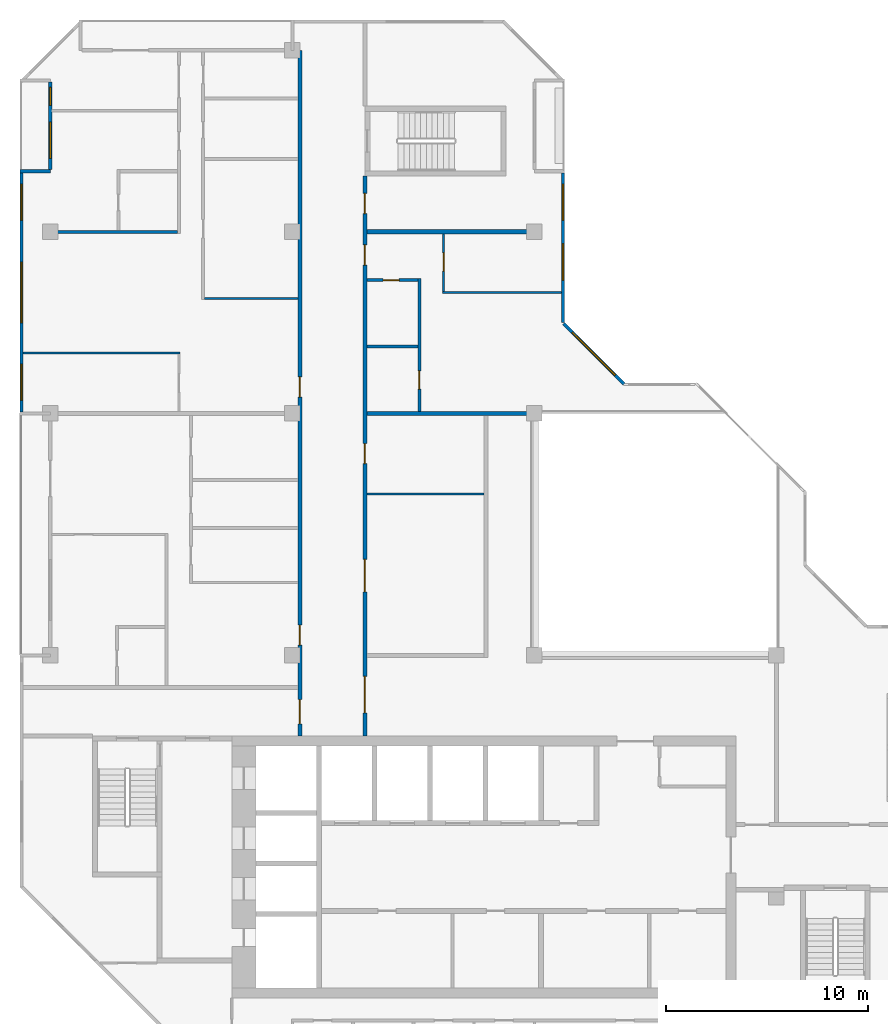
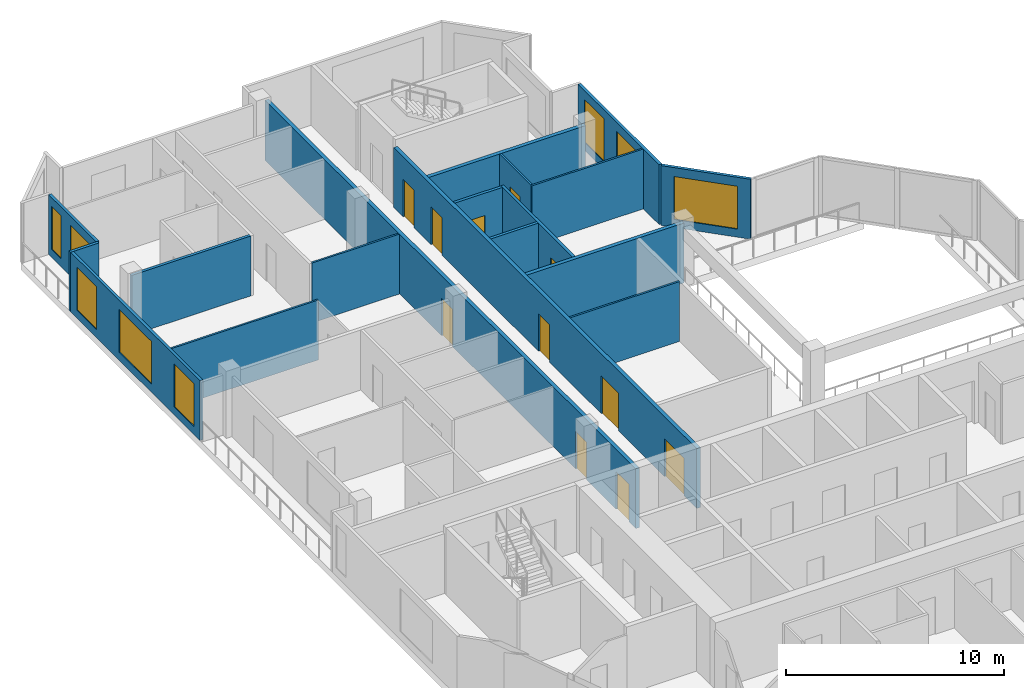
# One storey, part 8 of 12: 18 walls, 11 doors, 8 windows, 19 openings.
"""IFC4 building model written with IfcOpenShell, lengths in metres."""

from ifc_helpers import new_model, si_unit, direction, frame, frame_2d, origin, place, context, subcontext, project, spatial, rectangle, extrude, material, layer, layer_set, type_object, element, fill, save


model = new_model("IFC4")

# Units and contexts
model_context = context("Model", 3, precision=1e-05, world=origin(), true_north=direction((0.0, 1.0)))
body_context = subcontext(model_context, "Body", "Model", "MODEL_VIEW")
ifc_project = project(units=[si_unit("LENGTHUNIT", "METRE"), si_unit("AREAUNIT", "SQUARE_METRE"), si_unit("VOLUMEUNIT", "CUBIC_METRE"), si_unit("PLANEANGLEUNIT", "RADIAN"), si_unit("MASSUNIT", "GRAM", prefix="KILO")], contexts=[model_context])

# Site, building, storey
site_placement = place(None, origin())
site = spatial("IfcSite", under=ifc_project, at=site_placement, CompositionType="ELEMENT")
building_placement = place(site_placement, origin())
building = spatial("IfcBuilding", under=site, at=building_placement, Name="Chenar Terraces", CompositionType="ELEMENT")
storey_placement = place(building_placement, frame((0.0, 0.0, 372.64990234375)))
storey = spatial("IfcBuildingStorey", under=building, at=storey_placement, Name="L87", CompositionType="ELEMENT", Elevation=372.64990234375)

# Wall, openings, doors
ifc_material_1 = material(Name="Gypsum board on steel studs with fire boards", Category="steel")
ifc_layer_1 = layer(ifc_material_1, 0.199951171875)
ifc_layer_set_1 = layer_set([ifc_layer_1], Name="Gypsum board on steel studs with fire boards")
wall_type_1 = type_object("IfcWallType", Name="Corridor wall 200", PredefinedType="PARTITIONING", material=ifc_layer_set_1)
wall_1_placement = place(storey_placement, frame((12.375, 20.0, 0.0), z_axis=(0.0, 0.0, 1.0), x_axis=(0.0, 1.0, 0.0)))
wall_1 = element("IfcWall", 1, at=wall_1_placement, inside=storey, type_object=wall_type_1, Name="Partition L87-028", PredefinedType="PARTITIONING", context=body_context, shape_type="SweptSolid", body=[
    extrude(rectangle(XDim=34.0, YDim=0.199951171875, at=frame_2d((17.0, 0.0))), origin(), (0.0, 0.0, 1.0), 3.35009765625),
])
opening_1_placement = place(wall_1_placement, frame((16.800048828125, 0.0, 0.0)))
opening_1 = element("IfcOpeningElement", 2, at=opening_1_placement, cuts=wall_1, Name="Opening DL87-13", PredefinedType="OPENING", context=body_context, shape_type="SweptSolid", body=[
    extrude(rectangle(XDim=1.0, YDim=2.10009765625, at=frame_2d((0.5, 1.050048828125))), frame((0.0, 0.10986328125, 0.0), z_axis=(0.0, -1.0, 0.0), x_axis=(1.0, 0.0, 0.0)), (0.0, 0.0, 1.0), 0.219970703125),
])
opening_2_placement = place(wall_1_placement, frame((0.60009765625, 0.0, 0.0)))
opening_2 = element("IfcOpeningElement", 3, at=opening_2_placement, cuts=wall_1, Name="Opening DL87-18", PredefinedType="OPENING", context=body_context, shape_type="SweptSolid", body=[
    extrude(rectangle(XDim=1.199951171875, YDim=2.10009765625, at=frame_2d((0.60009765625, 1.050048828125))), frame((0.0, 0.10986328125, 0.0), z_axis=(0.0, -1.0, 0.0), x_axis=(1.0, 0.0, 0.0)), (0.0, 0.0, 1.0), 0.219970703125),
])
opening_3_placement = place(wall_1_placement, frame((4.5, 0.0, 0.0)))
opening_3 = element("IfcOpeningElement", 4, at=opening_3_placement, cuts=wall_1, Name="Opening DL87-41", PredefinedType="OPENING", context=body_context, shape_type="SweptSolid", body=[
    extrude(rectangle(XDim=1.0, YDim=2.10009765625, at=frame_2d((0.5, 1.050048828125))), frame((0.0, 0.10986328125, 0.0), z_axis=(0.0, -1.0, 0.0), x_axis=(1.0, 0.0, 0.0)), (0.0, 0.0, 1.0), 0.219970703125),
])
ifc_material_2 = material(Name="Steel-framed fire-resisting door leaf", Category="steel")
door_type_1 = type_object("IfcDoorType", Name="Fire door FD30S 1000 x 2100", OperationType="SINGLE_SWING_LEFT", PredefinedType="DOOR", material=ifc_material_2)
door_1_placement = place(opening_1_placement, origin())
door_1 = element("IfcDoor", 5, at=door_1_placement, inside=storey, type_object=door_type_1, Name="Door DL87-13", OperationType="SINGLE_SWING_LEFT", OverallHeight=2.10009765625, OverallWidth=1.0, PredefinedType="DOOR", context=body_context, shape_type="SweptSolid", body=[
    extrude(rectangle(XDim=1.0, YDim=2.10009765625, at=frame_2d((0.5, 1.050048828125))), frame((0.0, 0.02490234375, 0.0), z_axis=(0.0, -1.0, 0.0), x_axis=(1.0, 0.0, 0.0)), (0.0, 0.0, 1.0), 0.050048828125),
])
fill(opening_1, door_1)
door_2_placement = place(opening_3_placement, origin())
door_2 = element("IfcDoor", 6, at=door_2_placement, inside=storey, type_object=door_type_1, Name="Door DL87-41", OperationType="SINGLE_SWING_LEFT", OverallHeight=2.10009765625, OverallWidth=1.0, PredefinedType="DOOR", context=body_context, shape_type="SweptSolid", body=[
    extrude(rectangle(XDim=1.0, YDim=2.10009765625, at=frame_2d((0.5, 1.050048828125))), frame((0.0, 0.02490234375, 0.0), z_axis=(0.0, -1.0, 0.0), x_axis=(1.0, 0.0, 0.0)), (0.0, 0.0, 1.0), 0.050048828125),
])
fill(opening_3, door_2)
ifc_material_3 = material(Name="Steel-framed fire-resisting door leaf", Category="steel")
door_type_2 = type_object("IfcDoorType", Name="Fire door FD30S 1200 x 2100", OperationType="SINGLE_SWING_LEFT", PredefinedType="DOOR", material=ifc_material_3)
door_3_placement = place(opening_2_placement, origin())
door_3 = element("IfcDoor", 7, at=door_3_placement, inside=storey, type_object=door_type_2, Name="Door DL87-18", OperationType="SINGLE_SWING_RIGHT", OverallHeight=2.10009765625, OverallWidth=1.199951171875, PredefinedType="DOOR", context=body_context, shape_type="SweptSolid", body=[
    extrude(rectangle(XDim=1.199951171875, YDim=2.10009765625, at=frame_2d((0.60009765625, 1.050048828125))), frame((0.0, 0.02490234375, 0.0), z_axis=(0.0, -1.0, 0.0), x_axis=(1.0, 0.0, 0.0)), (0.0, 0.0, 1.0), 0.050048828125),
])
fill(opening_2, door_3)

wall_2_placement = place(storey_placement, frame((15.60009765625, 20.0, 0.0), z_axis=(0.0, 0.0, 1.0), x_axis=(0.0, 1.0, 0.0)))
wall_2 = element("IfcWall", 8, at=wall_2_placement, inside=storey, type_object=wall_type_1, Name="Partition L87-031", PredefinedType="PARTITIONING", context=body_context, shape_type="SweptSolid", body=[
    extrude(rectangle(XDim=27.77490234375, YDim=0.199951171875, at=frame_2d((13.887451171875, 0.0))), origin(), (0.0, 0.0, 1.0), 3.35009765625),
])
opening_4_placement = place(wall_2_placement, frame((7.14990234375, 0.0, 0.0)))
opening_4 = element("IfcOpeningElement", 9, at=opening_4_placement, cuts=wall_2, Name="Opening DL87-1", PredefinedType="OPENING", context=body_context, shape_type="SweptSolid", body=[
    extrude(rectangle(XDim=1.60009765625, YDim=2.10009765625, at=frame_2d((0.800048828125, 1.050048828125))), frame((0.0, 0.10986328125, 0.0), z_axis=(0.0, -1.0, 0.0), x_axis=(1.0, 0.0, 0.0)), (0.0, 0.0, 1.0), 0.219970703125),
])
opening_5_placement = place(wall_2_placement, frame((13.5, 0.0, 0.0)))
opening_5 = element("IfcOpeningElement", 10, at=opening_5_placement, cuts=wall_2, Name="Opening DL87-2", PredefinedType="OPENING", context=body_context, shape_type="SweptSolid", body=[
    extrude(rectangle(XDim=1.0, YDim=2.10009765625, at=frame_2d((0.5, 1.050048828125))), frame((0.0, 0.10986328125, 0.0), z_axis=(0.0, -1.0, 0.0), x_axis=(1.0, 0.0, 0.0)), (0.0, 0.0, 1.0), 0.219970703125),
])
opening_6_placement = place(wall_2_placement, frame((23.35009765625, 0.0, 0.0)))
opening_6 = element("IfcOpeningElement", 11, at=opening_6_placement, cuts=wall_2, Name="Opening DL87-7", PredefinedType="OPENING", context=body_context, shape_type="SweptSolid", body=[
    extrude(rectangle(XDim=1.0, YDim=2.10009765625, at=frame_2d((0.5, 1.050048828125))), frame((0.0, 0.10986328125, 0.0), z_axis=(0.0, -1.0, 0.0), x_axis=(1.0, 0.0, 0.0)), (0.0, 0.0, 1.0), 0.219970703125),
])
opening_7_placement = place(wall_2_placement, frame((1.14990234375, 0.0, 0.0)))
opening_7 = element("IfcOpeningElement", 12, at=opening_7_placement, cuts=wall_2, Name="Opening DL87-17", PredefinedType="OPENING", context=body_context, shape_type="SweptSolid", body=[
    extrude(rectangle(XDim=1.800048828125, YDim=2.10009765625, at=frame_2d((0.89990234375, 1.050048828125))), frame((0.0, 0.10986328125, 0.0), z_axis=(0.0, -1.0, 0.0), x_axis=(1.0, 0.0, 0.0)), (0.0, 0.0, 1.0), 0.219970703125),
])
opening_8_placement = place(wall_2_placement, frame((25.89990234375, 0.0, 0.0)))
opening_8 = element("IfcOpeningElement", 13, at=opening_8_placement, cuts=wall_2, Name="Opening DL87-20", PredefinedType="OPENING", context=body_context, shape_type="SweptSolid", body=[
    extrude(rectangle(XDim=1.0, YDim=2.10009765625, at=frame_2d((0.5, 1.050048828125))), frame((0.0, 0.10986328125, 0.0), z_axis=(0.0, -1.0, 0.0), x_axis=(1.0, 0.0, 0.0)), (0.0, 0.0, 1.0), 0.219970703125),
])
ifc_material_4 = material(Name="Steel-framed fire-resisting door leaf", Category="steel")
door_type_3 = type_object("IfcDoorType", Name="Fire door FD60 1000 x 2100", OperationType="SINGLE_SWING_LEFT", PredefinedType="DOOR", material=ifc_material_4)
door_4_placement = place(opening_5_placement, frame((1.0, 0.0, 0.0), z_axis=(0.0, 0.0, 1.0), x_axis=(-1.0, 0.0, 0.0)))
door_4 = element("IfcDoor", 14, at=door_4_placement, inside=storey, type_object=door_type_3, Name="Door DL87-2", OperationType="SINGLE_SWING_LEFT", OverallHeight=2.10009765625, OverallWidth=1.0, PredefinedType="DOOR", context=body_context, shape_type="SweptSolid", body=[
    extrude(rectangle(XDim=1.0, YDim=2.10009765625, at=frame_2d((0.5, 1.050048828125))), frame((0.0, 0.02490234375, 0.0), z_axis=(0.0, -1.0, 0.0), x_axis=(1.0, 0.0, 0.0)), (0.0, 0.0, 1.0), 0.050048828125),
])
fill(opening_5, door_4)
door_5_placement = place(opening_6_placement, frame((1.0, 0.0, 0.0), z_axis=(0.0, 0.0, 1.0), x_axis=(-1.0, 0.0, 0.0)))
door_5 = element("IfcDoor", 15, at=door_5_placement, inside=storey, type_object=door_type_3, Name="Door DL87-7", OperationType="SINGLE_SWING_LEFT", OverallHeight=2.10009765625, OverallWidth=1.0, PredefinedType="DOOR", context=body_context, shape_type="SweptSolid", body=[
    extrude(rectangle(XDim=1.0, YDim=2.10009765625, at=frame_2d((0.5, 1.050048828125))), frame((0.0, 0.02490234375, 0.0), z_axis=(0.0, -1.0, 0.0), x_axis=(1.0, 0.0, 0.0)), (0.0, 0.0, 1.0), 0.050048828125),
])
fill(opening_6, door_5)
door_6_placement = place(opening_8_placement, frame((1.0, 0.0, 0.0), z_axis=(0.0, 0.0, 1.0), x_axis=(-1.0, 0.0, 0.0)))
door_6 = element("IfcDoor", 16, at=door_6_placement, inside=storey, type_object=door_type_3, Name="Door DL87-20", OperationType="SINGLE_SWING_RIGHT", OverallHeight=2.10009765625, OverallWidth=1.0, PredefinedType="DOOR", context=body_context, shape_type="SweptSolid", body=[
    extrude(rectangle(XDim=1.0, YDim=2.10009765625, at=frame_2d((0.5, 1.050048828125))), frame((0.0, 0.02490234375, 0.0), z_axis=(0.0, -1.0, 0.0), x_axis=(1.0, 0.0, 0.0)), (0.0, 0.0, 1.0), 0.050048828125),
])
fill(opening_8, door_6)
ifc_material_5 = material(Name="Steel-framed fire-resisting door leaf", Category="steel")
door_type_4 = type_object("IfcDoorType", Name="Fire double door FD60 1600 x 2100", OperationType="DOUBLE_DOOR_SINGLE_SWING", PredefinedType="DOOR", material=ifc_material_5)
door_7_placement = place(opening_4_placement, frame((1.60009765625, 0.0, 0.0), z_axis=(0.0, 0.0, 1.0), x_axis=(-1.0, 0.0, 0.0)))
door_7 = element("IfcDoor", 17, at=door_7_placement, inside=storey, type_object=door_type_4, Name="Door DL87-1", OperationType="DOUBLE_DOOR_SINGLE_SWING", OverallHeight=2.10009765625, OverallWidth=1.60009765625, PredefinedType="DOOR", context=body_context, shape_type="SweptSolid", body=[
    extrude(rectangle(XDim=1.60009765625, YDim=2.10009765625, at=frame_2d((0.800048828125, 1.050048828125))), frame((0.0, 0.02490234375, 0.0), z_axis=(0.0, -1.0, 0.0), x_axis=(1.0, 0.0, 0.0)), (0.0, 0.0, 1.0), 0.050048828125),
])
fill(opening_4, door_7)
ifc_material_6 = material(Name="Steel-framed fire-resisting door leaf", Category="steel")
door_type_5 = type_object("IfcDoorType", Name="Fire double door FD60 1800 x 2100", OperationType="DOUBLE_DOOR_SINGLE_SWING", PredefinedType="DOOR", material=ifc_material_6)
door_8_placement = place(opening_7_placement, frame((1.800048828125, 0.0, 0.0), z_axis=(0.0, 0.0, 1.0), x_axis=(-1.0, 0.0, 0.0)))
door_8 = element("IfcDoor", 18, at=door_8_placement, inside=storey, type_object=door_type_5, Name="Door DL87-17", OperationType="DOUBLE_DOOR_SINGLE_SWING", OverallHeight=2.10009765625, OverallWidth=1.800048828125, PredefinedType="DOOR", context=body_context, shape_type="SweptSolid", body=[
    extrude(rectangle(XDim=1.800048828125, YDim=2.10009765625, at=frame_2d((0.89990234375, 1.050048828125))), frame((0.0, 0.02490234375, 0.0), z_axis=(0.0, -1.0, 0.0), x_axis=(1.0, 0.0, 0.0)), (0.0, 0.0, 1.0), 0.050048828125),
])
fill(opening_7, door_8)

# Wall, openings, windows
ifc_material_7 = material(Name="Aluminium framed glazing", Category="aluminium")
ifc_layer_2 = layer(ifc_material_7, 0.14990234375)
ifc_layer_set_2 = layer_set([ifc_layer_2], Name="Aluminium framed glazing")
wall_type_2 = type_object("IfcWallType", Name="Glazed flush facade wall 150", PredefinedType="SOLIDWALL", material=ifc_layer_set_2)
wall_3_placement = place(storey_placement, frame((25.425048828125, 40.5, 0.0), z_axis=(0.0, 0.0, 1.0), x_axis=(0.0, 1.0, 0.0)))
wall_3 = element("IfcWall", 19, at=wall_3_placement, inside=storey, type_object=wall_type_2, Name="Glazed flush facade wall", PredefinedType="SOLIDWALL", context=body_context, shape_type="SweptSolid", body=[
    extrude(rectangle(XDim=7.425048828125, YDim=0.14990234375, at=frame_2d((3.71240234375, 0.0))), origin(), (0.0, 0.0, 1.0), 3.35009765625),
])
opening_9_placement = place(wall_3_placement, frame((2.10009765625, 0.0, 0.449951171875)))
opening_9 = element("IfcOpeningElement", 20, at=opening_9_placement, cuts=wall_3, Name="Opening W180x240", PredefinedType="OPENING", context=body_context, shape_type="SweptSolid", body=[
    extrude(rectangle(XDim=1.800048828125, YDim=2.39990234375, at=frame_2d((0.89990234375, 1.199951171875))), frame((0.0, 0.0849609375, 0.0), z_axis=(0.0, -1.0, 0.0), x_axis=(1.0, 0.0, 0.0)), (0.0, 0.0, 1.0), 0.169921875),
])
opening_10_placement = place(wall_3_placement, frame((5.0625, 0.0, 0.449951171875)))
opening_10 = element("IfcOpeningElement", 21, at=opening_10_placement, cuts=wall_3, Name="Opening W180x240", PredefinedType="OPENING", context=body_context, shape_type="SweptSolid", body=[
    extrude(rectangle(XDim=1.800048828125, YDim=2.39990234375, at=frame_2d((0.89990234375, 1.199951171875))), frame((0.0, 0.0849609375, 0.0), z_axis=(0.0, -1.0, 0.0), x_axis=(1.0, 0.0, 0.0)), (0.0, 0.0, 1.0), 0.169921875),
])
ifc_material_8 = material(Name="Low emissivity double glazing, aluminium frame", Category="aluminium")
window_type_1 = type_object("IfcWindowType", Name="Fixed light 1800 x 2400", PartitioningType="SINGLE_PANEL", PredefinedType="WINDOW", material=ifc_material_8)
window_1_placement = place(opening_9_placement, origin())
window_1 = element("IfcWindow", 22, at=window_1_placement, inside=storey, type_object=window_type_1, Name="Window", OverallHeight=2.39990234375, OverallWidth=1.800048828125, PartitioningType="SINGLE_PANEL", PredefinedType="WINDOW", context=body_context, shape_type="SweptSolid", body=[
    extrude(rectangle(XDim=1.800048828125, YDim=2.39990234375, at=frame_2d((0.89990234375, 1.199951171875))), frame((0.0, 0.030029296875, 0.0), z_axis=(0.0, -1.0, 0.0), x_axis=(1.0, 0.0, 0.0)), (0.0, 0.0, 1.0), 0.06005859375),
])
fill(opening_9, window_1)
window_2_placement = place(opening_10_placement, origin())
window_2 = element("IfcWindow", 23, at=window_2_placement, inside=storey, type_object=window_type_1, Name="Window", OverallHeight=2.39990234375, OverallWidth=1.800048828125, PartitioningType="SINGLE_PANEL", PredefinedType="WINDOW", context=body_context, shape_type="SweptSolid", body=[
    extrude(rectangle(XDim=1.800048828125, YDim=2.39990234375, at=frame_2d((0.89990234375, 1.199951171875))), frame((0.0, 0.030029296875, 0.0), z_axis=(0.0, -1.0, 0.0), x_axis=(1.0, 0.0, 0.0)), (0.0, 0.0, 1.0), 0.06005859375),
])
fill(opening_10, window_2)

wall_4_placement = place(storey_placement, frame((-1.425048828125, 47.925048828125, 0.0), z_axis=(0.0, 0.0, 1.0), x_axis=(0.0, -1.0, 0.0)))
wall_4 = element("IfcWall", 24, at=wall_4_placement, inside=storey, type_object=wall_type_2, Name="Glazed flush facade wall", PredefinedType="SOLIDWALL", context=body_context, shape_type="SweptSolid", body=[
    extrude(rectangle(XDim=11.85009765625, YDim=0.14990234375, at=frame_2d((5.925048828125, 0.0))), origin(), (0.0, 0.0, 1.0), 3.35009765625),
])
opening_11_placement = place(wall_4_placement, frame((0.5625, 0.0, 0.449951171875)))
opening_11 = element("IfcOpeningElement", 25, at=opening_11_placement, cuts=wall_4, Name="Opening W180x240", PredefinedType="OPENING", context=body_context, shape_type="SweptSolid", body=[
    extrude(rectangle(XDim=1.800048828125, YDim=2.39990234375, at=frame_2d((0.89990234375, 1.199951171875))), frame((0.0, 0.0849609375, 0.0), z_axis=(0.0, -1.0, 0.0), x_axis=(1.0, 0.0, 0.0)), (0.0, 0.0, 1.0), 0.169921875),
])
opening_12_placement = place(wall_4_placement, frame((4.425048828125, 0.0, 0.449951171875)))
opening_12 = element("IfcOpeningElement", 26, at=opening_12_placement, cuts=wall_4, Name="Opening W300x240", PredefinedType="OPENING", context=body_context, shape_type="SweptSolid", body=[
    extrude(rectangle(XDim=3.0, YDim=2.39990234375, at=frame_2d((1.5, 1.199951171875))), frame((0.0, 0.0849609375, 0.0), z_axis=(0.0, -1.0, 0.0), x_axis=(1.0, 0.0, 0.0)), (0.0, 0.0, 1.0), 0.169921875),
])
opening_13_placement = place(wall_4_placement, frame((9.487548828125, 0.0, 0.449951171875)))
opening_13 = element("IfcOpeningElement", 27, at=opening_13_placement, cuts=wall_4, Name="Opening W180x240", PredefinedType="OPENING", context=body_context, shape_type="SweptSolid", body=[
    extrude(rectangle(XDim=1.800048828125, YDim=2.39990234375, at=frame_2d((0.89990234375, 1.199951171875))), frame((0.0, 0.0849609375, 0.0), z_axis=(0.0, -1.0, 0.0), x_axis=(1.0, 0.0, 0.0)), (0.0, 0.0, 1.0), 0.169921875),
])
window_3_placement = place(opening_11_placement, origin())
window_3 = element("IfcWindow", 28, at=window_3_placement, inside=storey, type_object=window_type_1, Name="Window", OverallHeight=2.39990234375, OverallWidth=1.800048828125, PartitioningType="SINGLE_PANEL", PredefinedType="WINDOW", context=body_context, shape_type="SweptSolid", body=[
    extrude(rectangle(XDim=1.800048828125, YDim=2.39990234375, at=frame_2d((0.89990234375, 1.199951171875))), frame((0.0, 0.030029296875, 0.0), z_axis=(0.0, -1.0, 0.0), x_axis=(1.0, 0.0, 0.0)), (0.0, 0.0, 1.0), 0.06005859375),
])
fill(opening_11, window_3)
window_4_placement = place(opening_13_placement, origin())
window_4 = element("IfcWindow", 29, at=window_4_placement, inside=storey, type_object=window_type_1, Name="Window", OverallHeight=2.39990234375, OverallWidth=1.800048828125, PartitioningType="SINGLE_PANEL", PredefinedType="WINDOW", context=body_context, shape_type="SweptSolid", body=[
    extrude(rectangle(XDim=1.800048828125, YDim=2.39990234375, at=frame_2d((0.89990234375, 1.199951171875))), frame((0.0, 0.030029296875, 0.0), z_axis=(0.0, -1.0, 0.0), x_axis=(1.0, 0.0, 0.0)), (0.0, 0.0, 1.0), 0.06005859375),
])
fill(opening_13, window_4)
ifc_material_9 = material(Name="Low emissivity double glazing, aluminium frame", Category="aluminium")
window_type_2 = type_object("IfcWindowType", Name="Fixed light 3000 x 2400", PartitioningType="SINGLE_PANEL", PredefinedType="WINDOW", material=ifc_material_9)
window_5_placement = place(opening_12_placement, origin())
window_5 = element("IfcWindow", 30, at=window_5_placement, inside=storey, type_object=window_type_2, Name="Window", OverallHeight=2.39990234375, OverallWidth=3.0, PartitioningType="SINGLE_PANEL", PredefinedType="WINDOW", context=body_context, shape_type="SweptSolid", body=[
    extrude(rectangle(XDim=3.0, YDim=2.39990234375, at=frame_2d((1.5, 1.199951171875))), frame((0.0, 0.030029296875, 0.0), z_axis=(0.0, -1.0, 0.0), x_axis=(1.0, 0.0, 0.0)), (0.0, 0.0, 1.0), 0.06005859375),
])
fill(opening_12, window_5)

ifc_material_10 = material(Name="Aluminium framed glazing", Category="aluminium")
ifc_layer_3 = layer(ifc_material_10, 0.14990234375)
ifc_layer_set_3 = layer_set([ifc_layer_3], Name="Aluminium framed glazing")
wall_type_3 = type_object("IfcWallType", Name="Glazed loggia back wall 150", PredefinedType="SOLIDWALL", material=ifc_layer_set_3)
wall_5_placement = place(storey_placement, frame((0.0, 52.425048828125, 0.0), z_axis=(0.0, 0.0, 1.0), x_axis=(0.0, -1.0, 0.0)))
wall_5 = element("IfcWall", 31, at=wall_5_placement, inside=storey, type_object=wall_type_3, Name="Glazed loggia back wall", PredefinedType="SOLIDWALL", context=body_context, shape_type="SweptSolid", body=[
    extrude(rectangle(XDim=4.35009765625, YDim=0.14990234375, at=frame_2d((2.175048828125, 0.0))), origin(), (0.0, 0.0, 1.0), 3.35009765625),
])
opening_14_placement = place(wall_5_placement, frame((0.262451171875, 0.0, 0.449951171875)))
opening_14 = element("IfcOpeningElement", 32, at=opening_14_placement, cuts=wall_5, Name="Opening W90x240", PredefinedType="OPENING", context=body_context, shape_type="SweptSolid", body=[
    extrude(rectangle(XDim=0.89990234375, YDim=2.39990234375, at=frame_2d((0.449951171875, 1.199951171875))), frame((0.0, 0.0849609375, 0.0), z_axis=(0.0, -1.0, 0.0), x_axis=(1.0, 0.0, 0.0)), (0.0, 0.0, 1.0), 0.169921875),
])
opening_15_placement = place(wall_5_placement, frame((1.987548828125, 0.0, 0.449951171875)))
opening_15 = element("IfcOpeningElement", 33, at=opening_15_placement, cuts=wall_5, Name="Opening W180x240", PredefinedType="OPENING", context=body_context, shape_type="SweptSolid", body=[
    extrude(rectangle(XDim=1.800048828125, YDim=2.39990234375, at=frame_2d((0.89990234375, 1.199951171875))), frame((0.0, 0.0849609375, 0.0), z_axis=(0.0, -1.0, 0.0), x_axis=(1.0, 0.0, 0.0)), (0.0, 0.0, 1.0), 0.169921875),
])
window_6_placement = place(opening_15_placement, origin())
window_6 = element("IfcWindow", 34, at=window_6_placement, inside=storey, type_object=window_type_1, Name="Window", OverallHeight=2.39990234375, OverallWidth=1.800048828125, PartitioningType="SINGLE_PANEL", PredefinedType="WINDOW", context=body_context, shape_type="SweptSolid", body=[
    extrude(rectangle(XDim=1.800048828125, YDim=2.39990234375, at=frame_2d((0.89990234375, 1.199951171875))), frame((0.0, 0.030029296875, 0.0), z_axis=(0.0, -1.0, 0.0), x_axis=(1.0, 0.0, 0.0)), (0.0, 0.0, 1.0), 0.06005859375),
])
fill(opening_15, window_6)
ifc_material_11 = material(Name="Low emissivity double glazing, aluminium frame", Category="aluminium")
window_type_3 = type_object("IfcWindowType", Name="Fixed light 900 x 2400", PartitioningType="SINGLE_PANEL", PredefinedType="WINDOW", material=ifc_material_11)
window_7_placement = place(opening_14_placement, origin())
window_7 = element("IfcWindow", 35, at=window_7_placement, inside=storey, type_object=window_type_3, Name="Window", OverallHeight=2.39990234375, OverallWidth=0.89990234375, PartitioningType="SINGLE_PANEL", PredefinedType="WINDOW", context=body_context, shape_type="SweptSolid", body=[
    extrude(rectangle(XDim=0.89990234375, YDim=2.39990234375, at=frame_2d((0.449951171875, 1.199951171875))), frame((0.0, 0.030029296875, 0.0), z_axis=(0.0, -1.0, 0.0), x_axis=(1.0, 0.0, 0.0)), (0.0, 0.0, 1.0), 0.06005859375),
])
fill(opening_14, window_7)

# Walls
ifc_material_12 = material(Name="Gypsum board on steel studs", Category="steel")
ifc_layer_4 = layer(ifc_material_12, 0.10009765625)
ifc_layer_set_4 = layer_set([ifc_layer_4], Name="Gypsum board on steel studs")
wall_type_4 = type_object("IfcWallType", Name="Gypsum partition 100", PredefinedType="PARTITIONING", material=ifc_layer_set_4)
wall_6_placement = place(storey_placement, frame((-1.35009765625, 39.0, 0.0), z_axis=(0.0, 0.0, 1.0), x_axis=(1.0, 0.0, 0.0)))
element("IfcWall", 36, at=wall_6_placement, inside=storey, type_object=wall_type_4, Name="Partition L87-004", PredefinedType="PARTITIONING", context=body_context, shape_type="SweptSolid", body=[
    extrude(rectangle(XDim=7.775146484375, YDim=0.10009765625, at=frame_2d((3.8876953125, 0.0))), origin(), (0.0, 0.0, 1.0), 3.35009765625),
])
wall_7_placement = place(storey_placement, frame((7.64990234375, 41.699951171875, 0.0), z_axis=(0.0, 0.0, 1.0), x_axis=(1.0, 0.0, 0.0)))
element("IfcWall", 37, at=wall_7_placement, inside=storey, type_object=wall_type_4, Name="Partition L87-021", PredefinedType="PARTITIONING", context=body_context, shape_type="SweptSolid", body=[
    extrude(rectangle(XDim=4.625, YDim=0.10009765625, at=frame_2d((2.3125, 0.0))), origin(), (0.0, 0.0, 1.0), 3.35009765625),
])
wall_8_placement = place(storey_placement, frame((15.699951171875, 32.0, 0.0), z_axis=(0.0, 0.0, 1.0), x_axis=(1.0, 0.0, 0.0)))
element("IfcWall", 38, at=wall_8_placement, inside=storey, type_object=wall_type_4, Name="Partition L87-034", PredefinedType="PARTITIONING", context=body_context, shape_type="SweptSolid", body=[
    extrude(rectangle(XDim=5.800048828125, YDim=0.10009765625, at=frame_2d((2.89990234375, 0.0))), origin(), (0.0, 0.0, 1.0), 3.35009765625),
])
wall_9_placement = place(storey_placement, frame((19.449951171875, 42.0, 0.0), z_axis=(0.0, 0.0, 1.0), x_axis=(1.0, 0.0, 0.0)))
element("IfcWall", 39, at=wall_9_placement, inside=storey, type_object=wall_type_4, Name="Partition L87-041", PredefinedType="PARTITIONING", context=body_context, shape_type="SweptSolid", body=[
    extrude(rectangle(XDim=5.900146484375, YDim=0.10009765625, at=frame_2d((2.9501953125, 0.0))), origin(), (0.0, 0.0, 1.0), 3.35009765625),
])

# Wall, opening, door
wall_10_placement = place(storey_placement, frame((19.5, 42.050048828125, 0.0), z_axis=(0.0, 0.0, 1.0), x_axis=(0.0, 1.0, 0.0)))
wall_10 = element("IfcWall", 40, at=wall_10_placement, inside=storey, type_object=wall_type_4, Name="Partition L87-042", PredefinedType="PARTITIONING", context=body_context, shape_type="SweptSolid", body=[
    extrude(rectangle(XDim=2.849853515625, YDim=0.10009765625, at=frame_2d((1.4248046875, 0.0))), origin(), (0.0, 0.0, 1.0), 3.35009765625),
])
opening_16_placement = place(wall_10_placement, frame((1.0, 0.0, 0.0)))
opening_16 = element("IfcOpeningElement", 41, at=opening_16_placement, cuts=wall_10, Name="Opening DL87-5", PredefinedType="OPENING", context=body_context, shape_type="SweptSolid", body=[
    extrude(rectangle(XDim=0.89990234375, YDim=2.10009765625, at=frame_2d((0.449951171875, 1.050048828125))), frame((0.0, 0.06005859375, 0.0), z_axis=(0.0, -1.0, 0.0), x_axis=(1.0, 0.0, 0.0)), (0.0, 0.0, 1.0), 0.1201171875),
])
ifc_material_13 = material(Name="Veneered timber door leaf", Category="wood")
door_type_6 = type_object("IfcDoorType", Name="Door 900 x 2100", OperationType="SINGLE_SWING_LEFT", PredefinedType="DOOR", material=ifc_material_13)
door_9_placement = place(opening_16_placement, frame((0.89990234375, 0.0, 0.0), z_axis=(0.0, 0.0, 1.0), x_axis=(-1.0, 0.0, 0.0)))
door_9 = element("IfcDoor", 42, at=door_9_placement, inside=storey, type_object=door_type_6, Name="Door DL87-5", OperationType="SINGLE_SWING_LEFT", OverallHeight=2.10009765625, OverallWidth=0.89990234375, PredefinedType="DOOR", context=body_context, shape_type="SweptSolid", body=[
    extrude(rectangle(XDim=0.89990234375, YDim=2.10009765625, at=frame_2d((0.449951171875, 1.050048828125))), frame((0.0, 0.02490234375, 0.0), z_axis=(0.0, -1.0, 0.0), x_axis=(1.0, 0.0, 0.0)), (0.0, 0.0, 1.0), 0.050048828125),
])
fill(opening_16, door_9)

# Wall
ifc_material_14 = material(Name="Terracotta cladding on insulated backing", Category="masonry")
ifc_layer_5 = layer(ifc_material_14, 0.14990234375)
ifc_layer_set_5 = layer_set([ifc_layer_5], Name="Terracotta cladding on insulated backing")
wall_type_5 = type_object("IfcWallType", Name="Loggia return wall 150", PredefinedType="SOLIDWALL", material=ifc_layer_set_5)
wall_11_placement = place(storey_placement, frame((-1.5, 48.0, 0.0), z_axis=(0.0, 0.0, 1.0), x_axis=(1.0, 0.0, 0.0)))
element("IfcWall", 43, at=wall_11_placement, inside=storey, type_object=wall_type_5, Name="Loggia return wall", PredefinedType="SOLIDWALL", context=body_context, shape_type="SweptSolid", body=[
    extrude(rectangle(XDim=1.5, YDim=0.14990234375, at=frame_2d((0.75, 0.0))), origin(), (0.0, 0.0, 1.0), 3.35009765625),
])

# Wall, opening, window
ifc_material_15 = material(Name="Terracotta cladding on insulated backing", Category="masonry")
ifc_layer_6 = layer(ifc_material_15, 0.14990234375)
ifc_layer_set_6 = layer_set([ifc_layer_6], Name="Terracotta cladding on insulated backing")
wall_type_6 = type_object("IfcWallType", Name="Terracotta rainscreen wall 150", PredefinedType="SOLIDWALL", material=ifc_layer_set_6)
wall_12_placement = place(storey_placement, frame((28.447021484375, 37.447021484375, 0.0), z_axis=(0.0, 0.0, 1.0), x_axis=(-0.707106781187, 0.707106781187, 0.0)))
wall_12 = element("IfcWall", 44, at=wall_12_placement, inside=storey, type_object=wall_type_6, Name="Terracotta rainscreen wall", PredefinedType="SOLIDWALL", context=body_context, shape_type="SweptSolid", body=[
    extrude(rectangle(XDim=4.24267578125, YDim=0.14990234375, at=frame_2d((2.121337890625, 0.0))), origin(), (0.0, 0.0, 1.0), 3.35009765625),
])
opening_17_placement = place(wall_12_placement, frame((0.621337890625, 0.0, 0.449951171875)))
opening_17 = element("IfcOpeningElement", 45, at=opening_17_placement, cuts=wall_12, Name="Opening W300x240", PredefinedType="OPENING", context=body_context, shape_type="SweptSolid", body=[
    extrude(rectangle(XDim=3.0, YDim=2.39990234375, at=frame_2d((1.5, 1.199951171875))), frame((0.0, 0.0849609375, 0.0), z_axis=(0.0, -1.0, 0.0), x_axis=(1.0, 0.0, 0.0)), (0.0, 0.0, 1.0), 0.169921875),
])
window_8_placement = place(opening_17_placement, origin())
window_8 = element("IfcWindow", 46, at=window_8_placement, inside=storey, type_object=window_type_2, Name="Window", OverallHeight=2.39990234375, OverallWidth=3.0, PartitioningType="SINGLE_PANEL", PredefinedType="WINDOW", context=body_context, shape_type="SweptSolid", body=[
    extrude(rectangle(XDim=3.0, YDim=2.39990234375, at=frame_2d((1.5, 1.199951171875))), frame((0.0, 0.030029296875, 0.0), z_axis=(0.0, -1.0, 0.0), x_axis=(1.0, 0.0, 0.0)), (0.0, 0.0, 1.0), 0.06005859375),
])
fill(opening_17, window_8)

# Walls
ifc_material_16 = material(Name="Twin gypsum board on steel studs with mineral wool", Category="steel")
ifc_layer_7 = layer(ifc_material_16, 0.199951171875)
ifc_layer_set_7 = layer_set([ifc_layer_7], Name="Twin gypsum board on steel studs with mineral wool")
wall_type_7 = type_object("IfcWallType", Name="Unit demising wall 200", PredefinedType="PARTITIONING", material=ifc_layer_set_7)
for number, where, z_axis, x_axis, name in (
    (47, (15.699951171875, 36.0, 0.0), (0.0, 0.0, 1.0), (1.0, 0.0, 0.0), "Partition L87-035"),
    (48, (15.699951171875, 45.0, 0.0), (0.0, 0.0, 1.0), (1.0, 0.0, 0.0), "Partition L87-038"),
):
    element("IfcWall", number, at=place(storey_placement, frame(where, z_axis=z_axis, x_axis=x_axis)), inside=storey, type_object=wall_type_7, Name=name, PredefinedType="PARTITIONING", context=body_context, shape_type="SweptSolid", body=[
        extrude(rectangle(XDim=8.300048828125, YDim=0.199951171875, at=frame_2d((4.14990234375, 0.0))), origin(), (0.0, 0.0, 1.0), 3.35009765625),
    ])
ifc_material_17 = material(Name="Moisture-resistant gypsum board on steel studs", Category="steel")
ifc_layer_8 = layer(ifc_material_17, 0.14990234375)
ifc_layer_set_8 = layer_set([ifc_layer_8], Name="Moisture-resistant gypsum board on steel studs")
wall_type_8 = type_object("IfcWallType", Name="Wet-room partition 150", PredefinedType="PARTITIONING", material=ifc_layer_set_8)
wall_13_placement = place(storey_placement, frame((0.0, 45.0, 0.0), z_axis=(0.0, 0.0, 1.0), x_axis=(1.0, 0.0, 0.0)))
element("IfcWall", 49, at=wall_13_placement, inside=storey, type_object=wall_type_8, Name="Partition L87-005", PredefinedType="PARTITIONING", context=body_context, shape_type="SweptSolid", body=[
    extrude(rectangle(XDim=6.300048828125, YDim=0.14990234375, at=frame_2d((3.14990234375, 0.0))), origin(), (0.0, 0.0, 1.0), 3.35009765625),
])
wall_14_placement = place(storey_placement, frame((15.699951171875, 39.300048828125, 0.0), z_axis=(0.0, 0.0, 1.0), x_axis=(1.0, 0.0, 0.0)))
element("IfcWall", 50, at=wall_14_placement, inside=storey, type_object=wall_type_8, Name="Partition L87-036", PredefinedType="PARTITIONING", context=body_context, shape_type="SweptSolid", body=[
    extrude(rectangle(XDim=2.525146484375, YDim=0.14990234375, at=frame_2d((1.2626953125, 0.0))), origin(), (0.0, 0.0, 1.0), 3.35009765625),
])

# Wall, opening, door
wall_15_placement = place(storey_placement, frame((15.699951171875, 42.60009765625, 0.0), z_axis=(0.0, 0.0, 1.0), x_axis=(1.0, 0.0, 0.0)))
wall_15 = element("IfcWall", 51, at=wall_15_placement, inside=storey, type_object=wall_type_8, Name="Partition L87-037", PredefinedType="PARTITIONING", context=body_context, shape_type="SweptSolid", body=[
    extrude(rectangle(XDim=2.525146484375, YDim=0.14990234375, at=frame_2d((1.2626953125, 0.0))), origin(), (0.0, 0.0, 1.0), 3.35009765625),
])
opening_18_placement = place(wall_15_placement, frame((0.800048828125, 0.0, 0.0)))
opening_18 = element("IfcOpeningElement", 52, at=opening_18_placement, cuts=wall_15, Name="Opening DL87-4", PredefinedType="OPENING", context=body_context, shape_type="SweptSolid", body=[
    extrude(rectangle(XDim=0.800048828125, YDim=2.10009765625, at=frame_2d((0.39990234375, 1.050048828125))), frame((0.0, 0.0849609375, 0.0), z_axis=(0.0, -1.0, 0.0), x_axis=(1.0, 0.0, 0.0)), (0.0, 0.0, 1.0), 0.169921875),
])
ifc_material_18 = material(Name="Veneered timber door leaf", Category="wood")
door_type_7 = type_object("IfcDoorType", Name="Door 800 x 2100", OperationType="SINGLE_SWING_LEFT", PredefinedType="DOOR", material=ifc_material_18)
door_10_placement = place(opening_18_placement, frame((0.800048828125, 0.0, 0.0), z_axis=(0.0, 0.0, 1.0), x_axis=(-1.0, 0.0, 0.0)))
door_10 = element("IfcDoor", 53, at=door_10_placement, inside=storey, type_object=door_type_7, Name="Door DL87-4", OperationType="SINGLE_SWING_RIGHT", OverallHeight=2.10009765625, OverallWidth=0.800048828125, PredefinedType="DOOR", context=body_context, shape_type="SweptSolid", body=[
    extrude(rectangle(XDim=0.800048828125, YDim=2.10009765625, at=frame_2d((0.39990234375, 1.050048828125))), frame((0.0, 0.02490234375, 0.0), z_axis=(0.0, -1.0, 0.0), x_axis=(1.0, 0.0, 0.0)), (0.0, 0.0, 1.0), 0.050048828125),
])
fill(opening_18, door_10)

wall_16_placement = place(storey_placement, frame((18.300048828125, 36.10009765625, 0.0), z_axis=(0.0, 0.0, 1.0), x_axis=(0.0, 1.0, 0.0)))
wall_16 = element("IfcWall", 54, at=wall_16_placement, inside=storey, type_object=wall_type_8, Name="Partition L87-040", PredefinedType="PARTITIONING", context=body_context, shape_type="SweptSolid", body=[
    extrude(rectangle(XDim=6.574951171875, YDim=0.14990234375, at=frame_2d((3.28759765625, 0.0))), origin(), (0.0, 0.0, 1.0), 3.35009765625),
])
opening_19_placement = place(wall_16_placement, frame((1.10009765625, 0.0, 0.0)))
opening_19 = element("IfcOpeningElement", 55, at=opening_19_placement, cuts=wall_16, Name="Opening DL87-6", PredefinedType="OPENING", context=body_context, shape_type="SweptSolid", body=[
    extrude(rectangle(XDim=0.89990234375, YDim=2.10009765625, at=frame_2d((0.449951171875, 1.050048828125))), frame((0.0, 0.0849609375, 0.0), z_axis=(0.0, -1.0, 0.0), x_axis=(1.0, 0.0, 0.0)), (0.0, 0.0, 1.0), 0.169921875),
])
door_11_placement = place(opening_19_placement, origin())
door_11 = element("IfcDoor", 56, at=door_11_placement, inside=storey, type_object=door_type_6, Name="Door DL87-6", OperationType="SINGLE_SWING_LEFT", OverallHeight=2.10009765625, OverallWidth=0.89990234375, PredefinedType="DOOR", context=body_context, shape_type="SweptSolid", body=[
    extrude(rectangle(XDim=0.89990234375, YDim=2.10009765625, at=frame_2d((0.449951171875, 1.050048828125))), frame((0.0, 0.02490234375, 0.0), z_axis=(0.0, -1.0, 0.0), x_axis=(1.0, 0.0, 0.0)), (0.0, 0.0, 1.0), 0.050048828125),
])
fill(opening_19, door_11)

save(model, "model.ifc")
